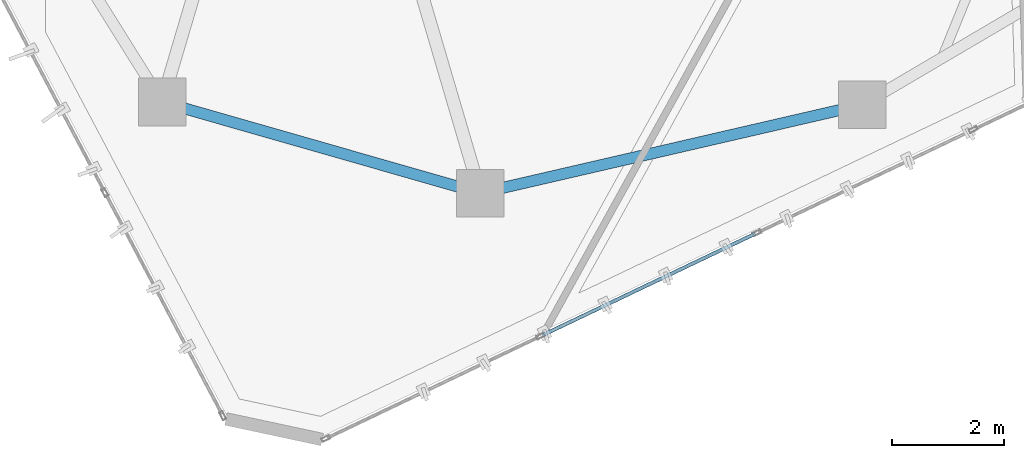
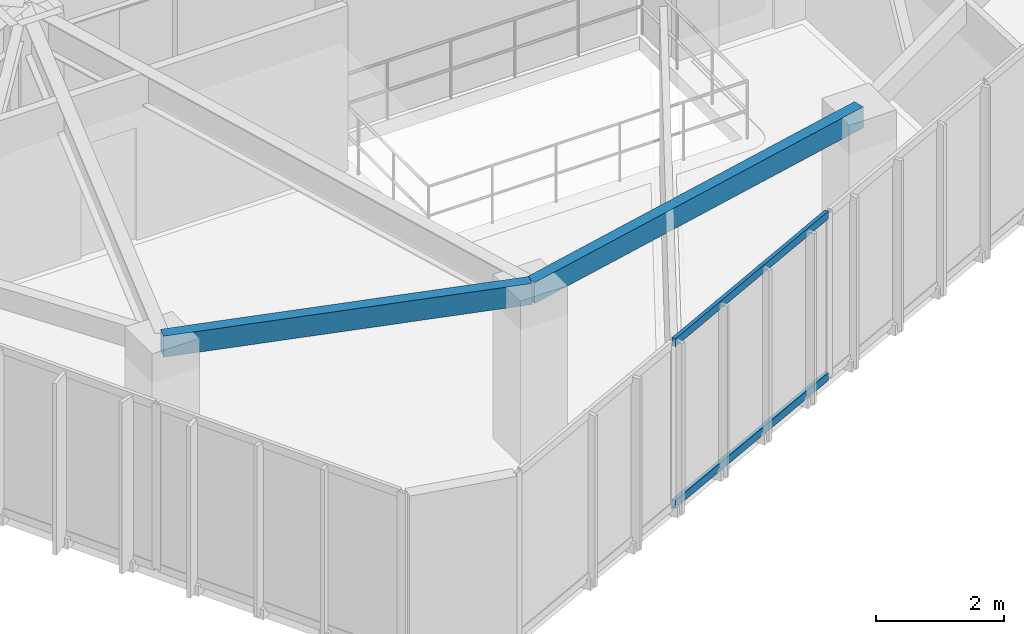
# One storey, part 3 of 20: 2 beams, 2 members, 1 element without a shape of its own.
"""IFC4 building model written with IfcOpenShell, lengths in metres."""

from ifc_helpers import new_model, si_unit, direction, frame, origin, origin_2d, place, context, subcontext, project, spatial, hollow_rectangle, extrude, source, transform, mapped, material, layer, layer_set, material_profile, profile_set, type_object, type_shapes, element, aggregate, save


model = new_model("IFC4")

# Units and contexts
model_context = context("Model", 3, precision=1e-05, world=origin(), true_north=direction((0.0, 1.0)))
body_context = subcontext(model_context, "Body", "Model", "MODEL_VIEW")
ifc_project = project(units=[si_unit("LENGTHUNIT", "METRE"), si_unit("AREAUNIT", "SQUARE_METRE"), si_unit("VOLUMEUNIT", "CUBIC_METRE"), si_unit("PLANEANGLEUNIT", "RADIAN"), si_unit("MASSUNIT", "GRAM", prefix="KILO")], contexts=[model_context])

# Site, building, storey
site_placement = place(None, origin())
site = spatial("IfcSite", under=ifc_project, at=site_placement, CompositionType="ELEMENT")
building_placement = place(site_placement, origin())
building = spatial("IfcBuilding", under=site, at=building_placement, Name="Talar Marvaseh", CompositionType="ELEMENT")
storey_placement = place(building_placement, frame((0.0, 0.0, 268.0)))
storey = spatial("IfcBuildingStorey", under=building, at=storey_placement, Name="L71", CompositionType="ELEMENT", Elevation=268.0)

# Beams
ifc_material_1 = material(Name="Steel S355", Category="steel")
ifc_material_profile_1 = material_profile(ifc_material_1, hollow_rectangle(XDim=0.199951171875, YDim=0.39990234375, WallThickness=0.013916015625, at=origin_2d()), Name="RHS400x200x14")
ifc_profile_set_1 = profile_set([ifc_material_profile_1], Name="Steel S355")
beam_type = type_object("IfcBeamType", Name="Zone 3 Perimeter Spandrel Beam RHS400x200x14", PredefinedType="SPANDREL", material=ifc_profile_set_1)
beam_1_placement = place(storey_placement, frame((28.60498046875, 16.616943359375, 2.93994140625), z_axis=(-0.974361245946, -0.22498924952, 0.0), x_axis=(0.22498924952, -0.974361245946, 0.0)))
element("IfcBeam", 1, at=beam_1_placement, inside=storey, type_object=beam_type, Name="L71 Zone 3 Perimeter Spandrel Beam RHS400x200x14", PredefinedType="SPANDREL", context=body_context, shape_type="SweptSolid", body=[
    extrude(hollow_rectangle(XDim=0.199951171875, YDim=0.39990234375, WallThickness=0.013916015625, at=origin_2d()), origin(), (0.0, 0.0, 1.0), 7.0087890625),
])
beam_2_placement = place(storey_placement, frame((21.77587890625, 15.0400390625, 2.93994140625), z_axis=(-0.961411768303, 0.275113452538, 0.0), x_axis=(-0.275113452538, -0.961411768303, 0.0)))
element("IfcBeam", 2, at=beam_2_placement, inside=storey, type_object=beam_type, Name="L71 Zone 3 Perimeter Spandrel Beam RHS400x200x14", PredefinedType="SPANDREL", context=body_context, shape_type="SweptSolid", body=[
    extrude(hollow_rectangle(XDim=0.199951171875, YDim=0.39990234375, WallThickness=0.013916015625, at=origin_2d()), origin(), (0.0, 0.0, 1.0), 5.917236328125),
])

# Curtain wall, members
ifc_material_2 = material(Name="Architectural Aluminium", Category="aluminium")
ifc_layer = layer(ifc_material_2, 0.179931640625)
ifc_layer_set = layer_set([ifc_layer], Name="Architectural Aluminium")
curtain_wall_type = type_object("IfcCurtainWallType", Name="Unitised High-Wind Sky Curtain Wall Z4", PredefinedType="NOTDEFINED", material=ifc_layer_set)
curtain_wall_placement = place(storey_placement, origin())
curtain_wall = element("IfcCurtainWall", 3, at=curtain_wall_placement, inside=storey, type_object=curtain_wall_type, Name="L71 Unitised High-Wind Sky Curtain Wall Z4", PredefinedType="NOTDEFINED")
ifc_material_profile_2 = material_profile(ifc_material_2, hollow_rectangle(XDim=0.06494140625, YDim=0.14990234375, WallThickness=0.00390625, at=origin_2d()), Name="RHS150x65x4")
ifc_profile_set_2 = profile_set([ifc_material_profile_2], Name="Architectural Aluminium")
member_type = type_object("IfcMemberType", Name="Unitised Curtain Wall Slim Transom RHS150x65x4", PredefinedType="USERDEFINED", material=ifc_profile_set_2)
shared_shape = source(origin(), body_context, "Body", "SweptSolid", [
    extrude(hollow_rectangle(XDim=0.06494140625, YDim=0.14990234375, WallThickness=0.00390625, at=origin_2d()), origin(), (0.0, 0.0, 1.0), 4.22119140625),
])
type_shapes(member_type, [shared_shape])
member_1_placement = place(storey_placement, frame((26.6943359375, 14.31396484375, 0.032470703125), z_axis=(-0.902511694517, -0.430665347178, 0.0), x_axis=(0.430665347178, -0.902511694517, 0.0)))
member_1 = element("IfcMember", 4, at=member_1_placement, type_object=member_type, Name="CW-Z4 transom 3.1", ObjectType="TRANSOM", PredefinedType="USERDEFINED", context=body_context, shape_type="MappedRepresentation", body=[
    mapped(shared_shape, transform((0.0, 0.0, 0.0), x_axis=(1.0, 0.0, 0.0), y_axis=(0.0, 1.0, 0.0), z_axis=(0.0, 0.0, 1.0), scale=1.0)),
])
member_2_placement = place(storey_placement, frame((26.6943359375, 14.31396484375, 3.107421875), z_axis=(-0.902511694517, -0.430665347178, 0.0), x_axis=(0.430665347178, -0.902511694517, 0.0)))
member_2 = element("IfcMember", 5, at=member_2_placement, type_object=member_type, Name="CW-Z4 transom 3.2", ObjectType="TRANSOM", PredefinedType="USERDEFINED", context=body_context, shape_type="MappedRepresentation", body=[
    mapped(shared_shape, transform((0.0, 0.0, 0.0), x_axis=(1.0, 0.0, 0.0), y_axis=(0.0, 1.0, 0.0), z_axis=(0.0, 0.0, 1.0), scale=1.0)),
])
aggregate(curtain_wall, [member_1, member_2])

save(model, "model.ifc")
